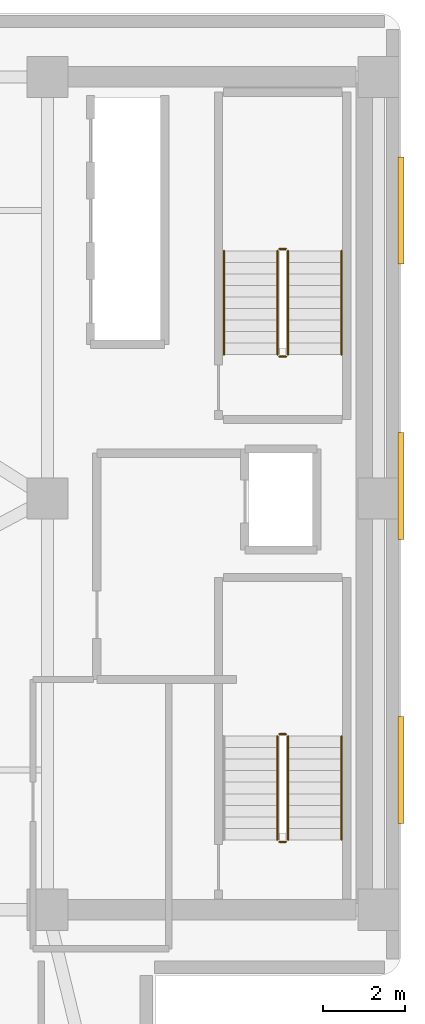
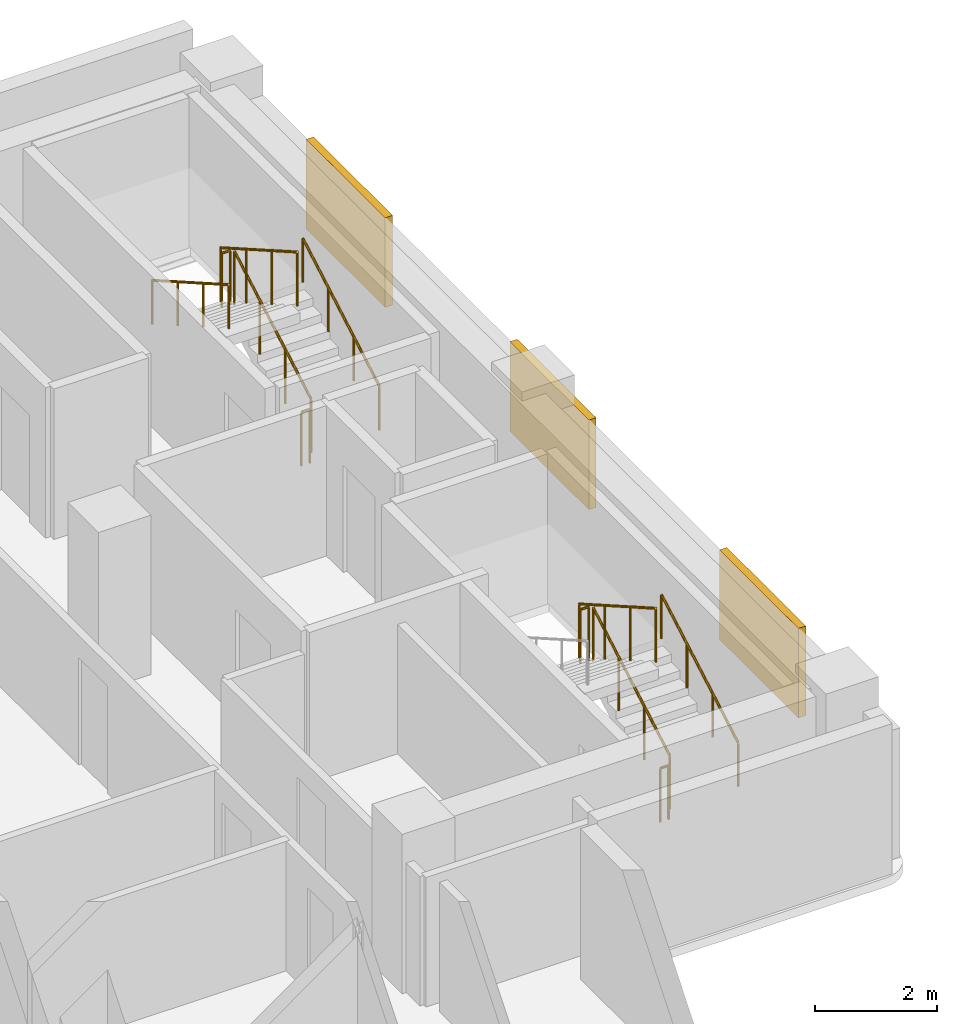
# One storey, part 14 of 14: 11 railings, 3 shading devices.
"""IFC4 building model written with IfcOpenShell, lengths in metres."""

from ifc_helpers import new_model, si_unit, direction, frame, origin, origin_2d, place, context, subcontext, project, spatial, rectangle, circle, extrude, material, layer, layer_set, type_object, element, save


model = new_model("IFC4")

# Units and contexts
model_context = context("Model", 3, precision=1e-05, world=origin(), true_north=direction((0.0, 1.0)))
body_context = subcontext(model_context, "Body", "Model", "MODEL_VIEW")
ifc_project = project(units=[si_unit("LENGTHUNIT", "METRE"), si_unit("AREAUNIT", "SQUARE_METRE"), si_unit("VOLUMEUNIT", "CUBIC_METRE"), si_unit("PLANEANGLEUNIT", "RADIAN"), si_unit("MASSUNIT", "GRAM", prefix="KILO")], contexts=[model_context])

# Site, building, storey
site_placement = place(None, origin())
site = spatial("IfcSite", under=ifc_project, at=site_placement, CompositionType="ELEMENT")
building_placement = place(site_placement, origin())
building = spatial("IfcBuilding", under=site, at=building_placement, Name="Kuzgunbayir Cultural Tower", CompositionType="ELEMENT")
storey_placement = place(building_placement, frame((0.0, 0.0, 69.199951171875)))
storey = spatial("IfcBuildingStorey", under=building, at=storey_placement, Name="L19", CompositionType="ELEMENT", Elevation=69.199951171875)

# Railings
ifc_material_1 = material(Name="Brushed Stainless Steel", Category="steel")
ifc_layer_1 = layer(ifc_material_1, 0.050048828125)
ifc_layer_set_1 = layer_set([ifc_layer_1], Name="Brushed Stainless Steel")
railing_type_1 = type_object("IfcRailingType", Name="RLG-STAIR-HANDRAIL", PredefinedType="HANDRAIL", material=ifc_layer_set_1)
for number, where, name in (
    (1, (71.75, 23.699951171875, 0.16015625), "L19 ST-3 stair handrail 1"),
    (2, (71.75, 35.5, 0.16015625), "L19 ST-4 stair handrail 1"),
):
    element("IfcRailing", number, at=place(storey_placement, frame(where)), inside=storey, type_object=railing_type_1, Name=name, PredefinedType="HANDRAIL", context=body_context, shape_type="SweptSolid", body=[
        extrude(circle(Radius=0.02392578125, at=origin_2d()), frame((0.0, 0.0, 0.8759765625), z_axis=(0.0, 0.868253494771, 0.496120820787), x_axis=(-1.0, 0.0, 0.0)), (0.0, 0.0, 1.0), 2.90234375),
        extrude(circle(Radius=0.02099609375, at=origin_2d()), origin(), (0.0, 0.0, 1.0), 0.851806640625),
        extrude(circle(Radius=0.02099609375, at=origin_2d()), frame((0.0, 0.840087890625, 0.47998046875)), (0.0, 0.0, 1.0), 0.851806640625),
        extrude(circle(Radius=0.02099609375, at=origin_2d()), frame((0.0, 1.679931640625, 0.9599609375)), (0.0, 0.0, 1.0), 0.851806640625),
        extrude(circle(Radius=0.02099609375, at=origin_2d()), frame((0.0, 2.52001953125, 1.43994140625)), (0.0, 0.0, 1.0), 0.851806640625),
    ])
railing_1_placement = place(storey_placement, frame((68.889892578125, 38.02001953125, 1.760009765625)))
element("IfcRailing", 3, at=railing_1_placement, inside=storey, type_object=railing_type_1, Name="L19 ST-4 stair handrail 2", PredefinedType="HANDRAIL", context=body_context, shape_type="SweptSolid", body=[
    extrude(circle(Radius=0.02392578125, at=origin_2d()), frame((0.0, 0.0, 0.8759765625), z_axis=(0.0, -0.868253494771, 0.496120820787), x_axis=(1.0, 0.0, 0.0)), (0.0, 0.0, 1.0), 2.90234375),
    extrude(circle(Radius=0.02099609375, at=origin_2d()), origin(), (0.0, 0.0, 1.0), 0.851806640625),
    extrude(circle(Radius=0.02099609375, at=origin_2d()), frame((0.0, -0.840087890625, 0.47998046875)), (0.0, 0.0, 1.0), 0.851806640625),
    extrude(circle(Radius=0.02099609375, at=origin_2d()), frame((0.0, -1.679931640625, 0.9599609375)), (0.0, 0.0, 1.0), 0.851806640625),
    extrude(circle(Radius=0.02099609375, at=origin_2d()), frame((0.0, -2.52001953125, 1.43994140625)), (0.0, 0.0, 1.0), 0.851806640625),
])
ifc_material_2 = material(Name="Painted Steel Balustrade", Category="steel")
ifc_layer_2 = layer(ifc_material_2, 0.06005859375)
ifc_layer_set_2 = layer_set([ifc_layer_2], Name="Painted Steel Balustrade")
railing_type_2 = type_object("IfcRailingType", Name="RLG-WELL-GUARD", PredefinedType="GUARDRAIL", material=ifc_layer_set_2)
railing_2_placement = place(storey_placement, frame((70.449951171875, 23.699951171875, 0.16015625)))
element("IfcRailing", 4, at=railing_2_placement, inside=storey, type_object=railing_type_2, Name="L19 ST-3 stair guard 1", PredefinedType="GUARDRAIL", context=body_context, shape_type="SweptSolid", body=[
    extrude(circle(Radius=0.02392578125, at=origin_2d()), frame((0.0, 0.0, 1.076171875), z_axis=(0.0, 0.868253494771, 0.496120820787), x_axis=(-1.0, 0.0, 0.0)), (0.0, 0.0, 1.0), 2.90234375),
    extrude(circle(Radius=0.02099609375, at=origin_2d()), origin(), (0.0, 0.0, 1.0), 1.052001953125),
    extrude(circle(Radius=0.02099609375, at=origin_2d()), frame((0.0, 0.840087890625, 0.47998046875)), (0.0, 0.0, 1.0), 1.052001953125),
    extrude(circle(Radius=0.02099609375, at=origin_2d()), frame((0.0, 1.679931640625, 0.9599609375)), (0.0, 0.0, 1.0), 1.052001953125),
    extrude(circle(Radius=0.02099609375, at=origin_2d()), frame((0.0, 2.52001953125, 1.43994140625)), (0.0, 0.0, 1.0), 1.052001953125),
])
railing_3_placement = place(storey_placement, frame((70.39990234375, 26.27001953125, 1.60009765625)))
element("IfcRailing", 5, at=railing_3_placement, inside=storey, type_object=railing_type_2, Name="L19 ST-3 stair guard 2", PredefinedType="GUARDRAIL", context=body_context, shape_type="SweptSolid", body=[
    extrude(circle(Radius=0.02392578125, at=origin_2d()), frame((0.0, 0.0, 1.076171875), z_axis=(-1.0, 0.0, 0.0), x_axis=(0.0, -1.0, 0.0)), (0.0, 0.0, 1.0), 0.159912109375),
    extrude(circle(Radius=0.02099609375, at=origin_2d()), origin(), (0.0, 0.0, 1.0), 1.052001953125),
    extrude(circle(Radius=0.02099609375, at=origin_2d()), frame((-0.159912109375, 0.0, 0.0)), (0.0, 0.0, 1.0), 1.052001953125),
])
railing_4_placement = place(storey_placement, frame((70.18994140625, 26.219970703125, 1.760009765625)))
element("IfcRailing", 6, at=railing_4_placement, inside=storey, type_object=railing_type_2, Name="L19 ST-3 stair guard 3", PredefinedType="GUARDRAIL", context=body_context, shape_type="SweptSolid", body=[
    extrude(circle(Radius=0.02392578125, at=origin_2d()), frame((0.0, 0.0, 1.076171875), z_axis=(0.0, -0.868253494771, 0.496120820787), x_axis=(1.0, 0.0, 0.0)), (0.0, 0.0, 1.0), 2.90234375),
    extrude(circle(Radius=0.02099609375, at=origin_2d()), origin(), (0.0, 0.0, 1.0), 1.052001953125),
    extrude(circle(Radius=0.02099609375, at=origin_2d()), frame((0.0, -0.840087890625, 0.47998046875)), (0.0, 0.0, 1.0), 1.052001953125),
    extrude(circle(Radius=0.02099609375, at=origin_2d()), frame((0.0, -1.679931640625, 0.9599609375)), (0.0, 0.0, 1.0), 1.052001953125),
    extrude(circle(Radius=0.02099609375, at=origin_2d()), frame((0.0, -2.52001953125, 1.43994140625)), (0.0, 0.0, 1.0), 1.052001953125),
])
railing_5_placement = place(storey_placement, frame((70.39990234375, 23.64990234375, 0.0)))
element("IfcRailing", 7, at=railing_5_placement, inside=storey, type_object=railing_type_2, Name="L19 ST-3 stair guard 4", PredefinedType="GUARDRAIL", context=body_context, shape_type="SweptSolid", body=[
    extrude(circle(Radius=0.02392578125, at=origin_2d()), frame((0.0, 0.0, 1.076171875), z_axis=(-1.0, 0.0, 0.0), x_axis=(0.0, -1.0, 0.0)), (0.0, 0.0, 1.0), 0.159912109375),
    extrude(circle(Radius=0.02099609375, at=origin_2d()), origin(), (0.0, 0.0, 1.0), 1.052001953125),
    extrude(circle(Radius=0.02099609375, at=origin_2d()), frame((-0.159912109375, 0.0, 0.0)), (0.0, 0.0, 1.0), 1.052001953125),
])
railing_6_placement = place(storey_placement, frame((70.449951171875, 35.5, 0.16015625)))
element("IfcRailing", 8, at=railing_6_placement, inside=storey, type_object=railing_type_2, Name="L19 ST-4 stair guard 1", PredefinedType="GUARDRAIL", context=body_context, shape_type="SweptSolid", body=[
    extrude(circle(Radius=0.02392578125, at=origin_2d()), frame((0.0, 0.0, 1.076171875), z_axis=(0.0, 0.868253494771, 0.496120820787), x_axis=(-1.0, 0.0, 0.0)), (0.0, 0.0, 1.0), 2.90234375),
    extrude(circle(Radius=0.02099609375, at=origin_2d()), origin(), (0.0, 0.0, 1.0), 1.052001953125),
    extrude(circle(Radius=0.02099609375, at=origin_2d()), frame((0.0, 0.840087890625, 0.47998046875)), (0.0, 0.0, 1.0), 1.052001953125),
    extrude(circle(Radius=0.02099609375, at=origin_2d()), frame((0.0, 1.679931640625, 0.9599609375)), (0.0, 0.0, 1.0), 1.052001953125),
    extrude(circle(Radius=0.02099609375, at=origin_2d()), frame((0.0, 2.52001953125, 1.43994140625)), (0.0, 0.0, 1.0), 1.052001953125),
])
railing_7_placement = place(storey_placement, frame((70.39990234375, 38.070068359375, 1.60009765625)))
element("IfcRailing", 9, at=railing_7_placement, inside=storey, type_object=railing_type_2, Name="L19 ST-4 stair guard 2", PredefinedType="GUARDRAIL", context=body_context, shape_type="SweptSolid", body=[
    extrude(circle(Radius=0.02392578125, at=origin_2d()), frame((0.0, 0.0, 1.076171875), z_axis=(-1.0, 0.0, 0.0), x_axis=(0.0, -1.0, 0.0)), (0.0, 0.0, 1.0), 0.159912109375),
    extrude(circle(Radius=0.02099609375, at=origin_2d()), origin(), (0.0, 0.0, 1.0), 1.052001953125),
    extrude(circle(Radius=0.02099609375, at=origin_2d()), frame((-0.159912109375, 0.0, 0.0)), (0.0, 0.0, 1.0), 1.052001953125),
])
railing_8_placement = place(storey_placement, frame((70.18994140625, 38.02001953125, 1.760009765625)))
element("IfcRailing", 10, at=railing_8_placement, inside=storey, type_object=railing_type_2, Name="L19 ST-4 stair guard 3", PredefinedType="GUARDRAIL", context=body_context, shape_type="SweptSolid", body=[
    extrude(circle(Radius=0.02392578125, at=origin_2d()), frame((0.0, 0.0, 1.076171875), z_axis=(0.0, -0.868253494771, 0.496120820787), x_axis=(1.0, 0.0, 0.0)), (0.0, 0.0, 1.0), 2.90234375),
    extrude(circle(Radius=0.02099609375, at=origin_2d()), origin(), (0.0, 0.0, 1.0), 1.052001953125),
    extrude(circle(Radius=0.02099609375, at=origin_2d()), frame((0.0, -0.840087890625, 0.47998046875)), (0.0, 0.0, 1.0), 1.052001953125),
    extrude(circle(Radius=0.02099609375, at=origin_2d()), frame((0.0, -1.679931640625, 0.9599609375)), (0.0, 0.0, 1.0), 1.052001953125),
    extrude(circle(Radius=0.02099609375, at=origin_2d()), frame((0.0, -2.52001953125, 1.43994140625)), (0.0, 0.0, 1.0), 1.052001953125),
])
railing_9_placement = place(storey_placement, frame((70.39990234375, 35.449951171875, 0.0)))
element("IfcRailing", 11, at=railing_9_placement, inside=storey, type_object=railing_type_2, Name="L19 ST-4 stair guard 4", PredefinedType="GUARDRAIL", context=body_context, shape_type="SweptSolid", body=[
    extrude(circle(Radius=0.02392578125, at=origin_2d()), frame((0.0, 0.0, 1.076171875), z_axis=(-1.0, 0.0, 0.0), x_axis=(0.0, -1.0, 0.0)), (0.0, 0.0, 1.0), 0.159912109375),
    extrude(circle(Radius=0.02099609375, at=origin_2d()), origin(), (0.0, 0.0, 1.0), 1.052001953125),
    extrude(circle(Radius=0.02099609375, at=origin_2d()), frame((-0.159912109375, 0.0, 0.0)), (0.0, 0.0, 1.0), 1.052001953125),
])

# Shading devices
ifc_material_3 = material(Name="Perforated Bronze-Anodised Aluminium", Category="aluminium")
shading_device_type = type_object("IfcShadingDeviceType", Name="SHD-SOLAR-BRONZE", PredefinedType="JALOUSIE", material=ifc_material_3)
for number, where, z_axis, x_axis, name in (
    (12, (73.199951171875, 25.39990234375, 0.7998046875), (0.0, 0.0, 1.0), (1.0, 0.0, 0.0), "L19 Companion East Bronze Solar Screen 25"),
    (13, (73.199951171875, 32.300048828125, 0.7998046875), (0.0, 0.0, 1.0), (1.0, 0.0, 0.0), "L19 Companion East Bronze Solar Screen 32"),
    (14, (73.199951171875, 39.0, 0.7998046875), (0.0, 0.0, 1.0), (1.0, 0.0, 0.0), "L19 Companion East Bronze Solar Screen 39"),
):
    element("IfcShadingDevice", number, at=place(storey_placement, frame(where, z_axis=z_axis, x_axis=x_axis)), inside=storey, type_object=shading_device_type, Name=name, PredefinedType="JALOUSIE", context=body_context, shape_type="SweptSolid", body=[
        extrude(rectangle(XDim=0.139892578125, YDim=2.60009765625, at=origin_2d()), origin(), (0.0, 0.0, 1.0), 1.800048828125),
    ])

save(model, "model.ifc")
